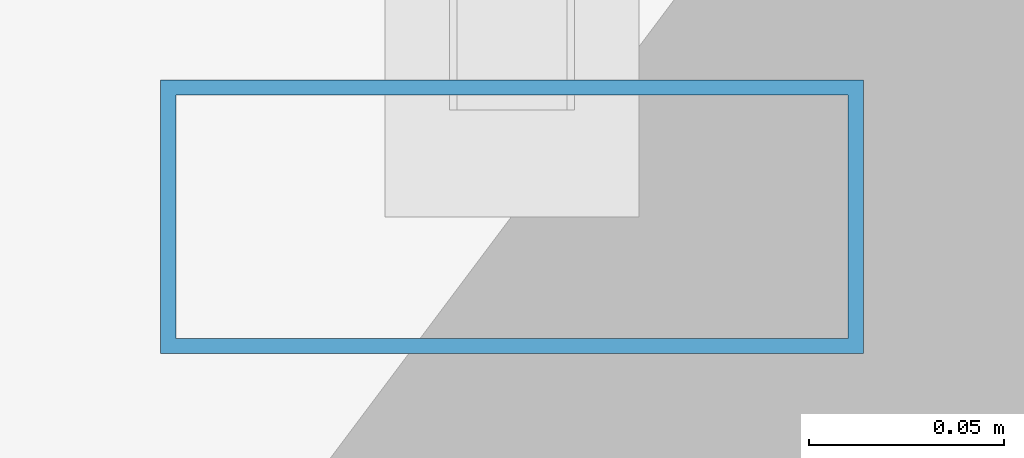
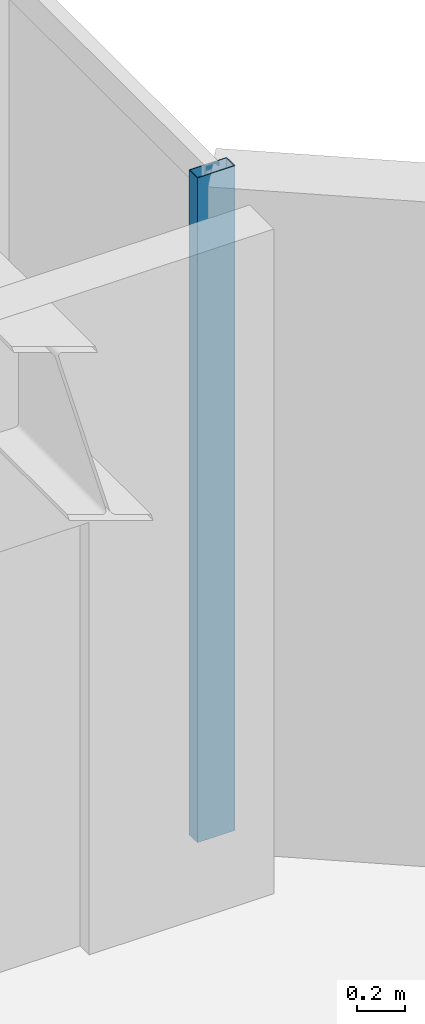
# One storey, part 10 of 26: 1 member, 1 element without a shape of its own.
"""IFC4 building model written with IfcOpenShell, lengths in metres."""

from ifc_helpers import new_model, si_unit, direction, frame, origin, origin_2d, place, context, subcontext, project, spatial, hollow_rectangle, extrude, material, layer, layer_set, material_profile, profile_set, type_object, element, aggregate, save


model = new_model("IFC4")

# Units and contexts
model_context = context("Model", 3, precision=1e-05, world=origin(), true_north=direction((0.0, 1.0)))
body_context = subcontext(model_context, "Body", "Model", "MODEL_VIEW")
ifc_project = project(units=[si_unit("LENGTHUNIT", "METRE"), si_unit("AREAUNIT", "SQUARE_METRE"), si_unit("VOLUMEUNIT", "CUBIC_METRE"), si_unit("PLANEANGLEUNIT", "RADIAN"), si_unit("MASSUNIT", "GRAM", prefix="KILO")], contexts=[model_context])

# Site, building, storey
site_placement = place(None, origin())
site = spatial("IfcSite", under=ifc_project, at=site_placement, CompositionType="ELEMENT")
building_placement = place(site_placement, origin())
building = spatial("IfcBuilding", under=site, at=building_placement, Name="Hatsunagi Terrace Concourse", CompositionType="ELEMENT")
storey_placement = place(building_placement, frame((0.0, 0.0, 195.14990234375)))
storey = spatial("IfcBuildingStorey", under=building, at=storey_placement, Name="L51", CompositionType="ELEMENT", Elevation=195.14990234375)

# Curtain wall, member
ifc_material_1 = material(Name="Anodised Aluminium Alloy 6063-T5", Category="aluminium")
ifc_layer = layer(ifc_material_1, 0.199951171875)
ifc_layer_set = layer_set([ifc_layer], Name="OfficeZone2_CW04")
curtain_wall_type = type_object("IfcCurtainWallType", Name="OfficeZone2_CW04", PredefinedType="NOTDEFINED", material=ifc_layer_set)
curtain_wall_placement = place(storey_placement, origin())
curtain_wall = element("IfcCurtainWall", 1, at=curtain_wall_placement, inside=storey, type_object=curtain_wall_type, Name="Unitised Curtain Wall CW-04 CW-L51-12", PredefinedType="NOTDEFINED")
ifc_material_2 = material(Name="Anodised Aluminium Alloy 6063-T5", Category="aluminium")
ifc_material_profile = material_profile(ifc_material_2, hollow_rectangle(XDim=0.070068359375, YDim=0.179931640625, WallThickness=0.00390625, at=origin_2d()), Name="ALU-MUL-180x70x4")
ifc_profile_set = profile_set([ifc_material_profile], Name="Anodised Aluminium Alloy 6063-T5")
member_type = type_object("IfcMemberType", Name="CurtainWallMullion_180x70", PredefinedType="MULLION", material=ifc_profile_set)
member_placement = place(storey_placement, frame((44.860107421875, 40.72998046875, 0.0), z_axis=(0.0, 0.0, 1.0), x_axis=(0.0, -1.0, 0.0)))
member = element("IfcMember", 2, at=member_placement, type_object=member_type, Name="Curtain Wall Mullion MUL-02", PredefinedType="MULLION", context=body_context, shape_type="SweptSolid", body=[
    extrude(hollow_rectangle(XDim=0.070068359375, YDim=0.179931640625, WallThickness=0.00390625, at=origin_2d()), origin(), (0.0, 0.0, 1.0), 3.35009765625),
])
aggregate(curtain_wall, [member])

save(model, "model.ifc")
